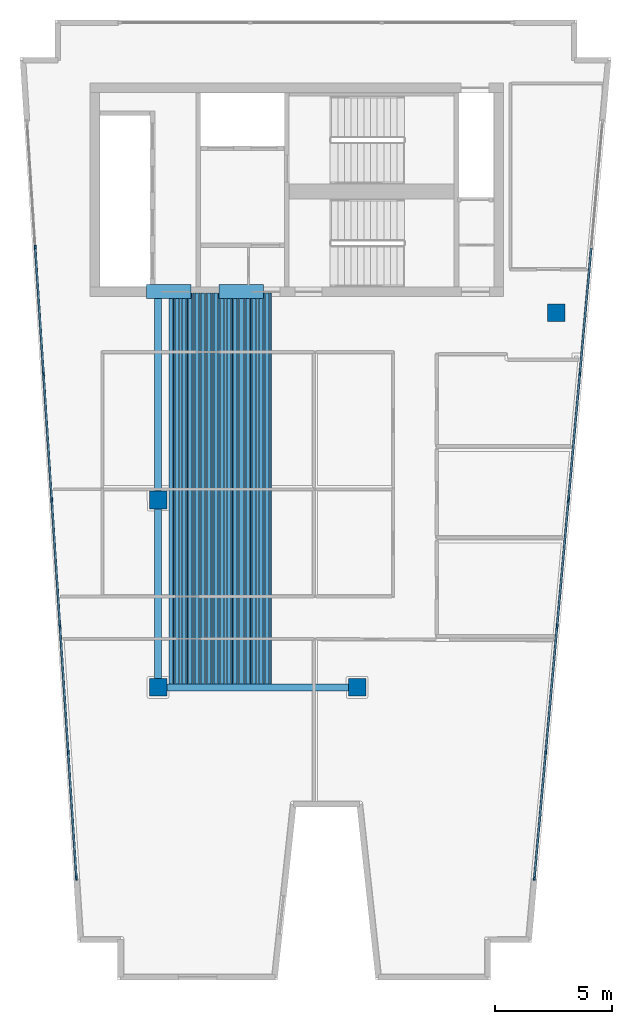
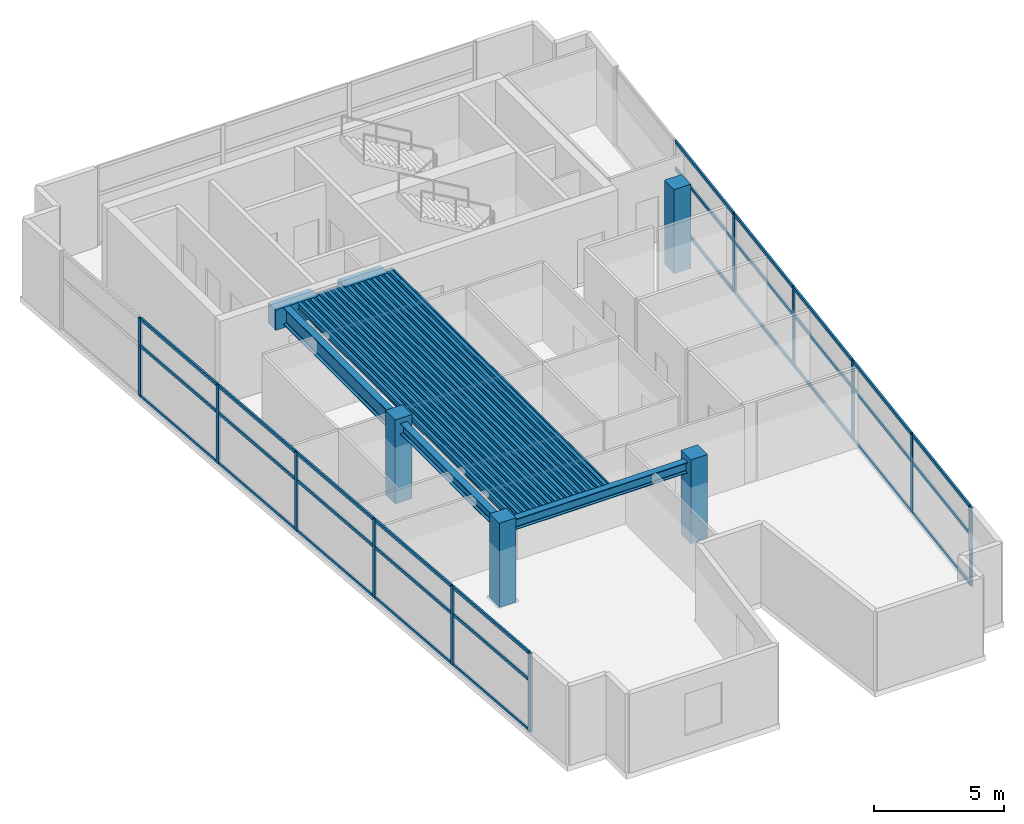
# One storey, part 1 of 7: 41 members, 37 beams, 4 columns, 2 elements without a shape of their own.
"""IFC4 building model written with IfcOpenShell, lengths in metres."""

from ifc_helpers import new_model, si_unit, direction, frame, origin, origin_2d, place, context, subcontext, project, spatial, rectangle, hollow_rectangle, i_section, extrude, material, layer, layer_set, material_profile, profile_set, type_object, element, aggregate, save


model = new_model("IFC4")

# Units and contexts
model_context = context("Model", 3, precision=1e-05, world=origin(), true_north=direction((0.0, 1.0)))
body_context = subcontext(model_context, "Body", "Model", "MODEL_VIEW")
ifc_project = project(units=[si_unit("LENGTHUNIT", "METRE"), si_unit("AREAUNIT", "SQUARE_METRE"), si_unit("VOLUMEUNIT", "CUBIC_METRE"), si_unit("PLANEANGLEUNIT", "RADIAN"), si_unit("MASSUNIT", "GRAM", prefix="KILO")], contexts=[model_context])

# Site, building, storey
site_placement = place(None, origin())
site = spatial("IfcSite", under=ifc_project, at=site_placement, CompositionType="ELEMENT")
building_placement = place(site_placement, origin())
building = spatial("IfcBuilding", under=site, at=building_placement, Name="Caeloran Harvest Quay", CompositionType="ELEMENT")
storey_placement = place(building_placement, frame((0.0, 0.0, 315.949951171875)))
storey = spatial("IfcBuildingStorey", under=building, at=storey_placement, Name="L76", CompositionType="ELEMENT", Elevation=315.949951171875)

# Columns
ifc_material_1 = material(Name="Concrete C60/75", Category="concrete")
ifc_material_profile_1 = material_profile(ifc_material_1, rectangle(XDim=0.75, YDim=0.75, at=origin_2d()), Name="RC 750x750")
ifc_profile_set_1 = profile_set([ifc_material_profile_1], Name="Concrete C60/75")
column_type = type_object("IfcColumnType", Name="COL-MC-5-RC_750x750", PredefinedType="COLUMN", material=ifc_profile_set_1)
for number, where, z_axis, x_axis, name in (
    (1, (8.5, 15.0, 0.0), (0.0, 0.0, 1.0), (1.0, 0.0, 0.0), "L76 Structural Column (8.5, 15.0)"),
    (2, (8.5, 23.0, 0.0), (0.0, 0.0, 1.0), (1.0, 0.0, 0.0), "L76 Structural Column (8.5, 23.0)"),
    (3, (17.0, 15.0, 0.0), (0.0, 0.0, 1.0), (1.0, 0.0, 0.0), "L76 Structural Column (17.0, 15.0)"),
    (4, (25.5, 31.0, 0.0), (0.0, 0.0, 1.0), (1.0, 0.0, 0.0), "L76 Structural Column (25.5, 31.0)"),
):
    element("IfcColumn", number, at=place(storey_placement, frame(where, z_axis=z_axis, x_axis=x_axis)), inside=storey, type_object=column_type, Name=name, PredefinedType="COLUMN", context=body_context, shape_type="SweptSolid", body=[
        extrude(rectangle(XDim=0.75, YDim=0.75, at=origin_2d()), origin(), (0.0, 0.0, 1.0), 3.949951171875),
    ])

# Beams
ifc_material_profile_2 = material_profile(ifc_material_1, rectangle(XDim=0.60009765625, YDim=0.949951171875, at=origin_2d()), Name="RC 600x950")
ifc_profile_set_2 = profile_set([ifc_material_profile_2], Name="Concrete C60/75")
beam_type_1 = type_object("IfcBeamType", Name="BM-CB-2-RC_600x950", PredefinedType="LINTEL", material=ifc_profile_set_2)
for number, where, z_axis, x_axis, name in (
    (5, (8.0, 31.89990234375, 3.22509765625), (1.0, 0.0, 0.0), (0.0, 1.0, 0.0), "L76 Core Coupling Beam 1"),
    (6, (11.10009765625, 31.89990234375, 3.22509765625), (1.0, 0.0, 0.0), (0.0, 1.0, 0.0), "L76 Core Coupling Beam 2"),
):
    element("IfcBeam", number, at=place(storey_placement, frame(where, z_axis=z_axis, x_axis=x_axis)), inside=storey, type_object=beam_type_1, Name=name, PredefinedType="LINTEL", context=body_context, shape_type="SweptSolid", body=[
        extrude(rectangle(XDim=0.60009765625, YDim=0.949951171875, at=origin_2d()), origin(), (0.0, 0.0, 1.0), 1.89990234375),
    ])
ifc_material_2 = material(Name="Steel S355J2", Category="steel")
ifc_material_profile_3 = material_profile(ifc_material_2, i_section(OverallWidth=0.300048828125, OverallDepth=0.800048828125, WebThickness=0.017578125, FlangeThickness=0.032958984375, FilletRadius=0.030029296875, at=origin_2d()), Name="HE 800 B")
ifc_profile_set_3 = profile_set([ifc_material_profile_3], Name="Steel S355J2")
beam_type_2 = type_object("IfcBeamType", Name="BM-PG-1-HE_800_B", PredefinedType="BEAM", material=ifc_profile_set_3)
beam_1_placement = place(storey_placement, frame((8.5, 23.0, 3.300048828125), z_axis=(0.0, 1.0, 0.0), x_axis=(-1.0, 0.0, 0.0)))
element("IfcBeam", 7, at=beam_1_placement, inside=storey, type_object=beam_type_2, Name="L76 Core South Tie Girder X=8.5", PredefinedType="BEAM", context=body_context, shape_type="SweptSolid", body=[
    extrude(i_section(OverallWidth=0.300048828125, OverallDepth=0.800048828125, WebThickness=0.017578125, FlangeThickness=0.032958984375, FilletRadius=0.030029296875, at=origin_2d()), origin(), (0.0, 0.0, 1.0), 8.85009765625),
])
ifc_material_profile_4 = material_profile(ifc_material_2, i_section(OverallWidth=0.300048828125, OverallDepth=0.5, WebThickness=0.014404296875, FlangeThickness=0.028076171875, FilletRadius=0.027099609375, at=origin_2d()), Name="HE 500 B")
ifc_profile_set_4 = profile_set([ifc_material_profile_4], Name="Steel S355J2")
beam_type_3 = type_object("IfcBeamType", Name="BM-PG-4-HE_500_B", PredefinedType="BEAM", material=ifc_profile_set_4)
beam_2_placement = place(storey_placement, frame((8.5, 15.0, 3.449951171875), z_axis=(1.0, 0.0, 0.0), x_axis=(0.0, 1.0, 0.0)))
element("IfcBeam", 8, at=beam_2_placement, inside=storey, type_object=beam_type_3, Name="L76 Primary East-West Girder Y=15.0", PredefinedType="BEAM", context=body_context, shape_type="SweptSolid", body=[
    extrude(i_section(OverallWidth=0.300048828125, OverallDepth=0.5, WebThickness=0.014404296875, FlangeThickness=0.028076171875, FilletRadius=0.027099609375, at=origin_2d()), origin(), (0.0, 0.0, 1.0), 8.5),
])
beam_3_placement = place(storey_placement, frame((8.5, 15.0, 3.449951171875), z_axis=(0.0, 1.0, 0.0), x_axis=(-1.0, 0.0, 0.0)))
element("IfcBeam", 9, at=beam_3_placement, inside=storey, type_object=beam_type_3, Name="L76 Primary North-South Girder X=8.5", PredefinedType="BEAM", context=body_context, shape_type="SweptSolid", body=[
    extrude(i_section(OverallWidth=0.300048828125, OverallDepth=0.5, WebThickness=0.014404296875, FlangeThickness=0.028076171875, FilletRadius=0.027099609375, at=origin_2d()), origin(), (0.0, 0.0, 1.0), 8.0),
])
ifc_material_profile_5 = material_profile(ifc_material_2, i_section(OverallWidth=0.14990234375, OverallDepth=0.300048828125, WebThickness=0.007080078125, FlangeThickness=0.0107421875, FilletRadius=0.014892578125, at=origin_2d()), Name="IPE 300")
ifc_profile_set_5 = profile_set([ifc_material_profile_5], Name="Steel S355J2")
beam_type_4 = type_object("IfcBeamType", Name="BM-SB-6-IPE_300", PredefinedType="JOIST", material=ifc_profile_set_5)
for number, where, z_axis, x_axis, name in (
    (10, (9.04833984375, 15.14501953125, 3.550048828125), (0.0, 1.0, 0.0), (-1.0, 0.0, 0.0), "L76 Secondary Composite Joist"),
    (11, (9.322509765625, 15.14501953125, 3.550048828125), (0.0, 1.0, 0.0), (-1.0, 0.0, 0.0), "L76 Secondary Composite Joist"),
    (12, (9.5966796875, 15.14501953125, 3.550048828125), (0.0, 1.0, 0.0), (-1.0, 0.0, 0.0), "L76 Secondary Composite Joist"),
    (13, (9.87109375, 15.14501953125, 3.550048828125), (0.0, 1.0, 0.0), (-1.0, 0.0, 0.0), "L76 Secondary Composite Joist"),
    (14, (10.145263671875, 15.14501953125, 3.550048828125), (0.0, 1.0, 0.0), (-1.0, 0.0, 0.0), "L76 Secondary Composite Joist"),
    (15, (10.41943359375, 15.14501953125, 3.550048828125), (0.0, 1.0, 0.0), (-1.0, 0.0, 0.0), "L76 Secondary Composite Joist"),
    (16, (10.693603515625, 15.14501953125, 3.550048828125), (0.0, 1.0, 0.0), (-1.0, 0.0, 0.0), "L76 Secondary Composite Joist"),
    (17, (10.9677734375, 15.14501953125, 3.550048828125), (0.0, 1.0, 0.0), (-1.0, 0.0, 0.0), "L76 Secondary Composite Joist"),
    (18, (11.241943359375, 15.14501953125, 3.550048828125), (0.0, 1.0, 0.0), (-1.0, 0.0, 0.0), "L76 Secondary Composite Joist"),
    (19, (11.51611328125, 15.14501953125, 3.550048828125), (0.0, 1.0, 0.0), (-1.0, 0.0, 0.0), "L76 Secondary Composite Joist"),
    (20, (11.790283203125, 15.14501953125, 3.550048828125), (0.0, 1.0, 0.0), (-1.0, 0.0, 0.0), "L76 Secondary Composite Joist"),
    (21, (12.064453125, 15.14501953125, 3.550048828125), (0.0, 1.0, 0.0), (-1.0, 0.0, 0.0), "L76 Secondary Composite Joist"),
    (22, (12.338623046875, 15.14501953125, 3.550048828125), (0.0, 1.0, 0.0), (-1.0, 0.0, 0.0), "L76 Secondary Composite Joist"),
    (23, (12.61279296875, 15.14501953125, 3.550048828125), (0.0, 1.0, 0.0), (-1.0, 0.0, 0.0), "L76 Secondary Composite Joist"),
    (24, (12.88720703125, 15.14501953125, 3.550048828125), (0.0, 1.0, 0.0), (-1.0, 0.0, 0.0), "L76 Secondary Composite Joist"),
    (25, (13.161376953125, 15.14501953125, 3.550048828125), (0.0, 1.0, 0.0), (-1.0, 0.0, 0.0), "L76 Secondary Composite Joist"),
):
    element("IfcBeam", number, at=place(storey_placement, frame(where, z_axis=z_axis, x_axis=x_axis)), inside=storey, type_object=beam_type_4, Name=name, PredefinedType="JOIST", context=body_context, shape_type="SweptSolid", body=[
        extrude(i_section(OverallWidth=0.14990234375, OverallDepth=0.300048828125, WebThickness=0.007080078125, FlangeThickness=0.0107421875, FilletRadius=0.014892578125, at=origin_2d()), origin(), (0.0, 0.0, 1.0), 16.705078125),
    ])
ifc_material_profile_6 = material_profile(ifc_material_2, hollow_rectangle(XDim=0.080078125, YDim=0.199951171875, WallThickness=0.006103515625, InnerFilletRadius=0.006103515625, OuterFilletRadius=0.009033203125, at=origin_2d()), Name="RHS 200x80x6")
ifc_profile_set_6 = profile_set([ifc_material_profile_6], Name="Steel S355J2")
beam_type_5 = type_object("IfcBeamType", Name="BM-SB-7-RHS_200x80x6", PredefinedType="JOIST", material=ifc_profile_set_6)
for number, where, z_axis, x_axis, name in (
    (26, (9.185546875, 15.14501953125, 3.60009765625), (0.0, 1.0, 0.0), (-1.0, 0.0, 0.0), "L76 Secondary Composite Joist"),
    (27, (9.459716796875, 15.14501953125, 3.60009765625), (0.0, 1.0, 0.0), (-1.0, 0.0, 0.0), "L76 Secondary Composite Joist"),
    (28, (9.73388671875, 15.14501953125, 3.60009765625), (0.0, 1.0, 0.0), (-1.0, 0.0, 0.0), "L76 Secondary Composite Joist"),
    (29, (10.008056640625, 15.14501953125, 3.60009765625), (0.0, 1.0, 0.0), (-1.0, 0.0, 0.0), "L76 Secondary Composite Joist"),
    (30, (10.2822265625, 15.14501953125, 3.60009765625), (0.0, 1.0, 0.0), (-1.0, 0.0, 0.0), "L76 Secondary Composite Joist"),
    (31, (10.556396484375, 15.14501953125, 3.60009765625), (0.0, 1.0, 0.0), (-1.0, 0.0, 0.0), "L76 Secondary Composite Joist"),
    (32, (10.83056640625, 15.14501953125, 3.60009765625), (0.0, 1.0, 0.0), (-1.0, 0.0, 0.0), "L76 Secondary Composite Joist"),
    (33, (11.104736328125, 15.14501953125, 3.60009765625), (0.0, 1.0, 0.0), (-1.0, 0.0, 0.0), "L76 Secondary Composite Joist"),
    (34, (11.37890625, 15.14501953125, 3.60009765625), (0.0, 1.0, 0.0), (-1.0, 0.0, 0.0), "L76 Secondary Composite Joist"),
    (35, (11.6533203125, 15.14501953125, 3.60009765625), (0.0, 1.0, 0.0), (-1.0, 0.0, 0.0), "L76 Secondary Composite Joist"),
    (36, (11.927490234375, 15.14501953125, 3.60009765625), (0.0, 1.0, 0.0), (-1.0, 0.0, 0.0), "L76 Secondary Composite Joist"),
    (37, (12.20166015625, 15.14501953125, 3.60009765625), (0.0, 1.0, 0.0), (-1.0, 0.0, 0.0), "L76 Secondary Composite Joist"),
    (38, (12.475830078125, 15.14501953125, 3.60009765625), (0.0, 1.0, 0.0), (-1.0, 0.0, 0.0), "L76 Secondary Composite Joist"),
    (39, (12.75, 15.14501953125, 3.60009765625), (0.0, 1.0, 0.0), (-1.0, 0.0, 0.0), "L76 Secondary Composite Joist"),
    (40, (13.024169921875, 15.14501953125, 3.60009765625), (0.0, 1.0, 0.0), (-1.0, 0.0, 0.0), "L76 Secondary Composite Joist"),
    (41, (13.29833984375, 15.14501953125, 3.60009765625), (0.0, 1.0, 0.0), (-1.0, 0.0, 0.0), "L76 Secondary Composite Joist"),
):
    element("IfcBeam", number, at=place(storey_placement, frame(where, z_axis=z_axis, x_axis=x_axis)), inside=storey, type_object=beam_type_5, Name=name, PredefinedType="JOIST", context=body_context, shape_type="SweptSolid", body=[
        extrude(hollow_rectangle(XDim=0.080078125, YDim=0.199951171875, WallThickness=0.006103515625, InnerFilletRadius=0.006103515625, OuterFilletRadius=0.009033203125, at=origin_2d()), origin(), (0.0, 0.0, 1.0), 16.705078125),
    ])

# Curtain wall, members
ifc_material_3 = material(Name="Aluminium 6063-T6 and Low-E Glazing", Category="aluminium")
ifc_layer = layer(ifc_material_3, 0.239990234375, Name="Aluminium 6063-T6 and Low-E Glazing")
ifc_layer_set = layer_set([ifc_layer], Name="Aluminium 6063-T6 and Low-E Glazing")
curtain_wall_type = type_object("IfcCurtainWallType", Name="CW-SYS-CW-7", PredefinedType="USERDEFINED", material=ifc_layer_set)
curtain_wall_1_placement = place(storey_placement, origin())
curtain_wall_1 = element("IfcCurtainWall", 42, at=curtain_wall_1_placement, inside=storey, type_object=curtain_wall_type, Name="L76 Unitised Curtain Wall CW-7 Run 3", ObjectType="CURTAIN_WALL", PredefinedType="USERDEFINED")
ifc_material_4 = material(Name="Aluminium 6063-T6", Category="aluminium")
ifc_material_profile_7 = material_profile(ifc_material_4, rectangle(XDim=0.080078125, YDim=0.179931640625, at=origin_2d()), Name="CW-MULLION-180")
ifc_profile_set_7 = profile_set([ifc_material_profile_7], Name="Aluminium 6063-T6")
member_type_1 = type_object("IfcMemberType", Name="CW-MULLION-180", PredefinedType="MULLION", material=ifc_profile_set_7)
member_1_placement = place(storey_placement, frame((5.013427734375, 6.8544921875, 0.0), z_axis=(0.0, 0.0, 1.0), x_axis=(-0.997874401106, -0.065166552901, 0.0)))
member_1 = element("IfcMember", 43, at=member_1_placement, type_object=member_type_1, Name="CW-7 mullion 1", PredefinedType="MULLION", context=body_context, shape_type="SweptSolid", body=[
    extrude(rectangle(XDim=0.080078125, YDim=0.179931640625, at=origin_2d()), origin(), (0.0, 0.0, 1.0), 3.699951171875),
])
member_2_placement = place(storey_placement, frame((4.66357421875, 12.209716796875, 0.0), z_axis=(0.0, 0.0, 1.0), x_axis=(-0.997874401106, -0.065166552901, 0.0)))
member_2 = element("IfcMember", 44, at=member_2_placement, type_object=member_type_1, Name="CW-7 mullion 2", PredefinedType="MULLION", context=body_context, shape_type="SweptSolid", body=[
    extrude(rectangle(XDim=0.080078125, YDim=0.179931640625, at=origin_2d()), origin(), (0.0, 0.0, 1.0), 3.699951171875),
])
member_3_placement = place(storey_placement, frame((4.311279296875, 17.604736328125, 0.0), z_axis=(0.0, 0.0, 1.0), x_axis=(-0.997874401106, -0.065166552901, 0.0)))
member_3 = element("IfcMember", 45, at=member_3_placement, type_object=member_type_1, Name="CW-7 mullion 3", PredefinedType="MULLION", context=body_context, shape_type="SweptSolid", body=[
    extrude(rectangle(XDim=0.080078125, YDim=0.179931640625, at=origin_2d()), origin(), (0.0, 0.0, 1.0), 3.699951171875),
])
member_4_placement = place(storey_placement, frame((3.958984375, 23.0, 0.0), z_axis=(0.0, 0.0, 1.0), x_axis=(-0.997874401106, -0.065166552901, 0.0)))
member_4 = element("IfcMember", 46, at=member_4_placement, type_object=member_type_1, Name="CW-7 mullion 4", PredefinedType="MULLION", context=body_context, shape_type="SweptSolid", body=[
    extrude(rectangle(XDim=0.080078125, YDim=0.179931640625, at=origin_2d()), origin(), (0.0, 0.0, 1.0), 3.699951171875),
])
member_5_placement = place(storey_placement, frame((3.606689453125, 28.395263671875, 0.0), z_axis=(0.0, 0.0, 1.0), x_axis=(-0.997874401106, -0.065166552901, 0.0)))
member_5 = element("IfcMember", 47, at=member_5_placement, type_object=member_type_1, Name="CW-7 mullion 5", PredefinedType="MULLION", context=body_context, shape_type="SweptSolid", body=[
    extrude(rectangle(XDim=0.080078125, YDim=0.179931640625, at=origin_2d()), origin(), (0.0, 0.0, 1.0), 3.699951171875),
])
member_6_placement = place(storey_placement, frame((3.25439453125, 33.790283203125, 0.0), z_axis=(0.0, 0.0, 1.0), x_axis=(-0.997874401106, -0.065166552901, 0.0)))
member_6 = element("IfcMember", 48, at=member_6_placement, type_object=member_type_1, Name="CW-7 mullion 6", PredefinedType="MULLION", context=body_context, shape_type="SweptSolid", body=[
    extrude(rectangle(XDim=0.080078125, YDim=0.179931640625, at=origin_2d()), origin(), (0.0, 0.0, 1.0), 3.699951171875),
])

curtain_wall_2_placement = place(storey_placement, origin())
curtain_wall_2 = element("IfcCurtainWall", 49, at=curtain_wall_2_placement, inside=storey, type_object=curtain_wall_type, Name="L76 Unitised Curtain Wall CW-7 Run 9", ObjectType="CURTAIN_WALL", PredefinedType="USERDEFINED")
member_7_placement = place(storey_placement, frame((26.517578125, 28.396728515625, 0.0), z_axis=(0.0, 0.0, 1.0), x_axis=(0.995957918918, -0.089821065146, 0.0)))
member_7 = element("IfcMember", 50, at=member_7_placement, type_object=member_type_1, Name="CW-7 mullion 3", PredefinedType="MULLION", context=body_context, shape_type="SweptSolid", body=[
    extrude(rectangle(XDim=0.080078125, YDim=0.179931640625, at=origin_2d()), origin(), (0.0, 0.0, 1.0), 3.699951171875),
])
member_8_placement = place(storey_placement, frame((26.03076171875, 23.0, 0.0), z_axis=(0.0, 0.0, 1.0), x_axis=(0.995957918918, -0.089821065146, 0.0)))
member_8 = element("IfcMember", 51, at=member_8_placement, type_object=member_type_1, Name="CW-7 mullion 4", PredefinedType="MULLION", context=body_context, shape_type="SweptSolid", body=[
    extrude(rectangle(XDim=0.080078125, YDim=0.179931640625, at=origin_2d()), origin(), (0.0, 0.0, 1.0), 3.699951171875),
])
member_9_placement = place(storey_placement, frame((25.5439453125, 17.603271484375, 0.0), z_axis=(0.0, 0.0, 1.0), x_axis=(0.995957918918, -0.089821065146, 0.0)))
member_9 = element("IfcMember", 52, at=member_9_placement, type_object=member_type_1, Name="CW-7 mullion 5", PredefinedType="MULLION", context=body_context, shape_type="SweptSolid", body=[
    extrude(rectangle(XDim=0.080078125, YDim=0.179931640625, at=origin_2d()), origin(), (0.0, 0.0, 1.0), 3.699951171875),
])
member_10_placement = place(storey_placement, frame((25.057373046875, 12.206298828125, 0.0), z_axis=(0.0, 0.0, 1.0), x_axis=(0.995957918918, -0.089821065146, 0.0)))
member_10 = element("IfcMember", 53, at=member_10_placement, type_object=member_type_1, Name="CW-7 mullion 6", PredefinedType="MULLION", context=body_context, shape_type="SweptSolid", body=[
    extrude(rectangle(XDim=0.080078125, YDim=0.179931640625, at=origin_2d()), origin(), (0.0, 0.0, 1.0), 3.699951171875),
])
member_11_placement = place(storey_placement, frame((24.57421875, 6.849365234375, 0.0), z_axis=(0.0, 0.0, 1.0), x_axis=(0.995957918918, -0.089821065146, 0.0)))
member_11 = element("IfcMember", 54, at=member_11_placement, type_object=member_type_1, Name="CW-7 mullion 7", PredefinedType="MULLION", context=body_context, shape_type="SweptSolid", body=[
    extrude(rectangle(XDim=0.080078125, YDim=0.179931640625, at=origin_2d()), origin(), (0.0, 0.0, 1.0), 3.699951171875),
])

# Member
ifc_material_profile_8 = material_profile(ifc_material_4, rectangle(XDim=0.080078125, YDim=0.14990234375, at=origin_2d()), Name="CW-TRANSOM-150")
ifc_profile_set_8 = profile_set([ifc_material_profile_8], Name="Aluminium 6063-T6")
member_type_2 = type_object("IfcMemberType", Name="CW-TRANSOM-150", PredefinedType="USERDEFINED", material=ifc_profile_set_8)
member_12_placement = place(storey_placement, frame((5.0107421875, 6.894287109375, 0.0400390625), z_axis=(-0.065161110765, 0.997874756492, 0.0), x_axis=(-0.997874756492, -0.065161110765, 0.0)))
member_12 = element("IfcMember", 55, at=member_12_placement, type_object=member_type_2, Name="CW-7 transom 1.1", ObjectType="TRANSOM", PredefinedType="USERDEFINED", context=body_context, shape_type="SweptSolid", body=[
    extrude(rectangle(XDim=0.080078125, YDim=0.14990234375, at=origin_2d()), origin(), (0.0, 0.0, 1.0), 5.28662109375),
])

member_13_placement = place(storey_placement, frame((5.0107421875, 6.894287109375, 2.400146484375), z_axis=(-0.065161110765, 0.997874756492, 0.0), x_axis=(-0.997874756492, -0.065161110765, 0.0)))
member_13 = element("IfcMember", 56, at=member_13_placement, type_object=member_type_2, Name="CW-7 transom 1.2", ObjectType="TRANSOM", PredefinedType="USERDEFINED", context=body_context, shape_type="SweptSolid", body=[
    extrude(rectangle(XDim=0.080078125, YDim=0.14990234375, at=origin_2d()), origin(), (0.0, 0.0, 1.0), 5.28662109375),
])

member_14_placement = place(storey_placement, frame((5.0107421875, 6.894287109375, 3.66015625), z_axis=(-0.065161110765, 0.997874756492, 0.0), x_axis=(-0.997874756492, -0.065161110765, 0.0)))
member_14 = element("IfcMember", 57, at=member_14_placement, type_object=member_type_2, Name="CW-7 transom 1.3", ObjectType="TRANSOM", PredefinedType="USERDEFINED", context=body_context, shape_type="SweptSolid", body=[
    extrude(rectangle(XDim=0.080078125, YDim=0.14990234375, at=origin_2d()), origin(), (0.0, 0.0, 1.0), 5.28662109375),
])

member_15_placement = place(storey_placement, frame((4.6611328125, 12.24951171875, 0.0400390625), z_axis=(-0.065174383207, 0.997873889714, 0.0), x_axis=(-0.997873889714, -0.065174383207, 0.0)))
member_15 = element("IfcMember", 58, at=member_15_placement, type_object=member_type_2, Name="CW-7 transom 2.1", ObjectType="TRANSOM", PredefinedType="USERDEFINED", context=body_context, shape_type="SweptSolid", body=[
    extrude(rectangle(XDim=0.080078125, YDim=0.14990234375, at=origin_2d()), origin(), (0.0, 0.0, 1.0), 5.32666015625),
])

member_16_placement = place(storey_placement, frame((4.6611328125, 12.24951171875, 2.400146484375), z_axis=(-0.065174383207, 0.997873889714, 0.0), x_axis=(-0.997873889714, -0.065174383207, 0.0)))
member_16 = element("IfcMember", 59, at=member_16_placement, type_object=member_type_2, Name="CW-7 transom 2.2", ObjectType="TRANSOM", PredefinedType="USERDEFINED", context=body_context, shape_type="SweptSolid", body=[
    extrude(rectangle(XDim=0.080078125, YDim=0.14990234375, at=origin_2d()), origin(), (0.0, 0.0, 1.0), 5.32666015625),
])

member_17_placement = place(storey_placement, frame((4.6611328125, 12.24951171875, 3.66015625), z_axis=(-0.065174383207, 0.997873889714, 0.0), x_axis=(-0.997873889714, -0.065174383207, 0.0)))
member_17 = element("IfcMember", 60, at=member_17_placement, type_object=member_type_2, Name="CW-7 transom 2.3", ObjectType="TRANSOM", PredefinedType="USERDEFINED", context=body_context, shape_type="SweptSolid", body=[
    extrude(rectangle(XDim=0.080078125, YDim=0.14990234375, at=origin_2d()), origin(), (0.0, 0.0, 1.0), 5.32666015625),
])

member_18_placement = place(storey_placement, frame((4.308837890625, 17.644775390625, 0.0400390625), z_axis=(-0.065174383207, 0.997873889714, 0.0), x_axis=(-0.997873889714, -0.065174383207, 0.0)))
member_18 = element("IfcMember", 61, at=member_18_placement, type_object=member_type_2, Name="CW-7 transom 3.1", ObjectType="TRANSOM", PredefinedType="USERDEFINED", context=body_context, shape_type="SweptSolid", body=[
    extrude(rectangle(XDim=0.080078125, YDim=0.14990234375, at=origin_2d()), origin(), (0.0, 0.0, 1.0), 5.32666015625),
])

member_19_placement = place(storey_placement, frame((4.308837890625, 17.644775390625, 2.400146484375), z_axis=(-0.065174383207, 0.997873889714, 0.0), x_axis=(-0.997873889714, -0.065174383207, 0.0)))
member_19 = element("IfcMember", 62, at=member_19_placement, type_object=member_type_2, Name="CW-7 transom 3.2", ObjectType="TRANSOM", PredefinedType="USERDEFINED", context=body_context, shape_type="SweptSolid", body=[
    extrude(rectangle(XDim=0.080078125, YDim=0.14990234375, at=origin_2d()), origin(), (0.0, 0.0, 1.0), 5.32666015625),
])

member_20_placement = place(storey_placement, frame((4.308837890625, 17.644775390625, 3.66015625), z_axis=(-0.065174383207, 0.997873889714, 0.0), x_axis=(-0.997873889714, -0.065174383207, 0.0)))
member_20 = element("IfcMember", 63, at=member_20_placement, type_object=member_type_2, Name="CW-7 transom 3.3", ObjectType="TRANSOM", PredefinedType="USERDEFINED", context=body_context, shape_type="SweptSolid", body=[
    extrude(rectangle(XDim=0.080078125, YDim=0.14990234375, at=origin_2d()), origin(), (0.0, 0.0, 1.0), 5.32666015625),
])

member_21_placement = place(storey_placement, frame((3.956298828125, 23.039794921875, 0.0400390625), z_axis=(-0.065128744787, 0.99787686946, 0.0), x_axis=(-0.99787686946, -0.065128744787, 0.0)))
member_21 = element("IfcMember", 64, at=member_21_placement, type_object=member_type_2, Name="CW-7 transom 4.1", ObjectType="TRANSOM", PredefinedType="USERDEFINED", context=body_context, shape_type="SweptSolid", body=[
    extrude(rectangle(XDim=0.080078125, YDim=0.14990234375, at=origin_2d()), origin(), (0.0, 0.0, 1.0), 5.32666015625),
])

member_22_placement = place(storey_placement, frame((3.956298828125, 23.039794921875, 2.400146484375), z_axis=(-0.065128744787, 0.99787686946, 0.0), x_axis=(-0.99787686946, -0.065128744787, 0.0)))
member_22 = element("IfcMember", 65, at=member_22_placement, type_object=member_type_2, Name="CW-7 transom 4.2", ObjectType="TRANSOM", PredefinedType="USERDEFINED", context=body_context, shape_type="SweptSolid", body=[
    extrude(rectangle(XDim=0.080078125, YDim=0.14990234375, at=origin_2d()), origin(), (0.0, 0.0, 1.0), 5.32666015625),
])

member_23_placement = place(storey_placement, frame((3.956298828125, 23.039794921875, 3.66015625), z_axis=(-0.065128744787, 0.99787686946, 0.0), x_axis=(-0.99787686946, -0.065128744787, 0.0)))
member_23 = element("IfcMember", 66, at=member_23_placement, type_object=member_type_2, Name="CW-7 transom 4.3", ObjectType="TRANSOM", PredefinedType="USERDEFINED", context=body_context, shape_type="SweptSolid", body=[
    extrude(rectangle(XDim=0.080078125, YDim=0.14990234375, at=origin_2d()), origin(), (0.0, 0.0, 1.0), 5.32666015625),
])

member_24_placement = place(storey_placement, frame((3.60400390625, 28.43505859375, 0.0400390625), z_axis=(-0.065174383207, 0.997873889714, 0.0), x_axis=(-0.997873889714, -0.065174383207, 0.0)))
member_24 = element("IfcMember", 67, at=member_24_placement, type_object=member_type_2, Name="CW-7 transom 5.1", ObjectType="TRANSOM", PredefinedType="USERDEFINED", context=body_context, shape_type="SweptSolid", body=[
    extrude(rectangle(XDim=0.080078125, YDim=0.14990234375, at=origin_2d()), origin(), (0.0, 0.0, 1.0), 5.32666015625),
])

member_25_placement = place(storey_placement, frame((3.60400390625, 28.43505859375, 2.400146484375), z_axis=(-0.065174383207, 0.997873889714, 0.0), x_axis=(-0.997873889714, -0.065174383207, 0.0)))
member_25 = element("IfcMember", 68, at=member_25_placement, type_object=member_type_2, Name="CW-7 transom 5.2", ObjectType="TRANSOM", PredefinedType="USERDEFINED", context=body_context, shape_type="SweptSolid", body=[
    extrude(rectangle(XDim=0.080078125, YDim=0.14990234375, at=origin_2d()), origin(), (0.0, 0.0, 1.0), 5.32666015625),
])

member_26_placement = place(storey_placement, frame((3.60400390625, 28.43505859375, 3.66015625), z_axis=(-0.065174383207, 0.997873889714, 0.0), x_axis=(-0.997873889714, -0.065174383207, 0.0)))
member_26 = element("IfcMember", 69, at=member_26_placement, type_object=member_type_2, Name="CW-7 transom 5.3", ObjectType="TRANSOM", PredefinedType="USERDEFINED", context=body_context, shape_type="SweptSolid", body=[
    extrude(rectangle(XDim=0.080078125, YDim=0.14990234375, at=origin_2d()), origin(), (0.0, 0.0, 1.0), 5.32666015625),
])

aggregate(curtain_wall_1, [member_1, member_2, member_3, member_4, member_5, member_6, member_12, member_13, member_14, member_15, member_16, member_17, member_18, member_19, member_20, member_21, member_22, member_23, member_24, member_25, member_26])

member_27_placement = place(storey_placement, frame((27.00048828125, 33.75390625, 0.0400390625), z_axis=(-0.089814159323, -0.9959585417, 0.0), x_axis=(0.9959585417, -0.089814159323, 0.0)))
member_27 = element("IfcMember", 70, at=member_27_placement, type_object=member_type_2, Name="CW-7 transom 2.1", ObjectType="TRANSOM", PredefinedType="USERDEFINED", context=body_context, shape_type="SweptSolid", body=[
    extrude(rectangle(XDim=0.080078125, YDim=0.14990234375, at=origin_2d()), origin(), (0.0, 0.0, 1.0), 5.338623046875),
])

member_28_placement = place(storey_placement, frame((27.00048828125, 33.75390625, 2.400146484375), z_axis=(-0.089814159323, -0.9959585417, 0.0), x_axis=(0.9959585417, -0.089814159323, 0.0)))
member_28 = element("IfcMember", 71, at=member_28_placement, type_object=member_type_2, Name="CW-7 transom 2.2", ObjectType="TRANSOM", PredefinedType="USERDEFINED", context=body_context, shape_type="SweptSolid", body=[
    extrude(rectangle(XDim=0.080078125, YDim=0.14990234375, at=origin_2d()), origin(), (0.0, 0.0, 1.0), 5.338623046875),
])

member_29_placement = place(storey_placement, frame((27.00048828125, 33.75390625, 3.66015625), z_axis=(-0.089814159323, -0.9959585417, 0.0), x_axis=(0.9959585417, -0.089814159323, 0.0)))
member_29 = element("IfcMember", 72, at=member_29_placement, type_object=member_type_2, Name="CW-7 transom 2.3", ObjectType="TRANSOM", PredefinedType="USERDEFINED", context=body_context, shape_type="SweptSolid", body=[
    extrude(rectangle(XDim=0.080078125, YDim=0.14990234375, at=origin_2d()), origin(), (0.0, 0.0, 1.0), 5.338623046875),
])

member_30_placement = place(storey_placement, frame((26.513916015625, 28.35693359375, 0.0400390625), z_axis=(-0.089814159323, -0.9959585417, 0.0), x_axis=(0.9959585417, -0.089814159323, 0.0)))
member_30 = element("IfcMember", 73, at=member_30_placement, type_object=member_type_2, Name="CW-7 transom 3.1", ObjectType="TRANSOM", PredefinedType="USERDEFINED", context=body_context, shape_type="SweptSolid", body=[
    extrude(rectangle(XDim=0.080078125, YDim=0.14990234375, at=origin_2d()), origin(), (0.0, 0.0, 1.0), 5.338623046875),
])

member_31_placement = place(storey_placement, frame((26.513916015625, 28.35693359375, 2.400146484375), z_axis=(-0.089814159323, -0.9959585417, 0.0), x_axis=(0.9959585417, -0.089814159323, 0.0)))
member_31 = element("IfcMember", 74, at=member_31_placement, type_object=member_type_2, Name="CW-7 transom 3.2", ObjectType="TRANSOM", PredefinedType="USERDEFINED", context=body_context, shape_type="SweptSolid", body=[
    extrude(rectangle(XDim=0.080078125, YDim=0.14990234375, at=origin_2d()), origin(), (0.0, 0.0, 1.0), 5.338623046875),
])

member_32_placement = place(storey_placement, frame((26.513916015625, 28.35693359375, 3.66015625), z_axis=(-0.089814159323, -0.9959585417, 0.0), x_axis=(0.9959585417, -0.089814159323, 0.0)))
member_32 = element("IfcMember", 75, at=member_32_placement, type_object=member_type_2, Name="CW-7 transom 3.3", ObjectType="TRANSOM", PredefinedType="USERDEFINED", context=body_context, shape_type="SweptSolid", body=[
    extrude(rectangle(XDim=0.080078125, YDim=0.14990234375, at=origin_2d()), origin(), (0.0, 0.0, 1.0), 5.338623046875),
])

member_33_placement = place(storey_placement, frame((26.027099609375, 22.960205078125, 0.0400390625), z_axis=(-0.089814159323, -0.9959585417, 0.0), x_axis=(0.9959585417, -0.089814159323, 0.0)))
member_33 = element("IfcMember", 76, at=member_33_placement, type_object=member_type_2, Name="CW-7 transom 4.1", ObjectType="TRANSOM", PredefinedType="USERDEFINED", context=body_context, shape_type="SweptSolid", body=[
    extrude(rectangle(XDim=0.080078125, YDim=0.14990234375, at=origin_2d()), origin(), (0.0, 0.0, 1.0), 5.338623046875),
])

member_34_placement = place(storey_placement, frame((26.027099609375, 22.960205078125, 2.400146484375), z_axis=(-0.089814159323, -0.9959585417, 0.0), x_axis=(0.9959585417, -0.089814159323, 0.0)))
member_34 = element("IfcMember", 77, at=member_34_placement, type_object=member_type_2, Name="CW-7 transom 4.2", ObjectType="TRANSOM", PredefinedType="USERDEFINED", context=body_context, shape_type="SweptSolid", body=[
    extrude(rectangle(XDim=0.080078125, YDim=0.14990234375, at=origin_2d()), origin(), (0.0, 0.0, 1.0), 5.338623046875),
])

member_35_placement = place(storey_placement, frame((26.027099609375, 22.960205078125, 3.66015625), z_axis=(-0.089814159323, -0.9959585417, 0.0), x_axis=(0.9959585417, -0.089814159323, 0.0)))
member_35 = element("IfcMember", 78, at=member_35_placement, type_object=member_type_2, Name="CW-7 transom 4.3", ObjectType="TRANSOM", PredefinedType="USERDEFINED", context=body_context, shape_type="SweptSolid", body=[
    extrude(rectangle(XDim=0.080078125, YDim=0.14990234375, at=origin_2d()), origin(), (0.0, 0.0, 1.0), 5.338623046875),
])

member_36_placement = place(storey_placement, frame((25.54052734375, 17.563232421875, 0.0400390625), z_axis=(-0.089859520381, -0.995954450061, 0.0), x_axis=(0.995954450061, -0.089859520381, 0.0)))
member_36 = element("IfcMember", 79, at=member_36_placement, type_object=member_type_2, Name="CW-7 transom 5.1", ObjectType="TRANSOM", PredefinedType="USERDEFINED", context=body_context, shape_type="SweptSolid", body=[
    extrude(rectangle(XDim=0.080078125, YDim=0.14990234375, at=origin_2d()), origin(), (0.0, 0.0, 1.0), 5.338623046875),
])

member_37_placement = place(storey_placement, frame((25.54052734375, 17.563232421875, 2.400146484375), z_axis=(-0.089859520381, -0.995954450061, 0.0), x_axis=(0.995954450061, -0.089859520381, 0.0)))
member_37 = element("IfcMember", 80, at=member_37_placement, type_object=member_type_2, Name="CW-7 transom 5.2", ObjectType="TRANSOM", PredefinedType="USERDEFINED", context=body_context, shape_type="SweptSolid", body=[
    extrude(rectangle(XDim=0.080078125, YDim=0.14990234375, at=origin_2d()), origin(), (0.0, 0.0, 1.0), 5.338623046875),
])

member_38_placement = place(storey_placement, frame((25.54052734375, 17.563232421875, 3.66015625), z_axis=(-0.089859520381, -0.995954450061, 0.0), x_axis=(0.995954450061, -0.089859520381, 0.0)))
member_38 = element("IfcMember", 81, at=member_38_placement, type_object=member_type_2, Name="CW-7 transom 5.3", ObjectType="TRANSOM", PredefinedType="USERDEFINED", context=body_context, shape_type="SweptSolid", body=[
    extrude(rectangle(XDim=0.080078125, YDim=0.14990234375, at=origin_2d()), origin(), (0.0, 0.0, 1.0), 5.338623046875),
])

member_39_placement = place(storey_placement, frame((25.0537109375, 12.16650390625, 0.0400390625), z_axis=(-0.089800407778, -0.995959781699, 0.0), x_axis=(0.995959781699, -0.089800407778, 0.0)))
member_39 = element("IfcMember", 82, at=member_39_placement, type_object=member_type_2, Name="CW-7 transom 6.1", ObjectType="TRANSOM", PredefinedType="USERDEFINED", context=body_context, shape_type="SweptSolid", body=[
    extrude(rectangle(XDim=0.080078125, YDim=0.14990234375, at=origin_2d()), origin(), (0.0, 0.0, 1.0), 5.298828125),
])

member_40_placement = place(storey_placement, frame((25.0537109375, 12.16650390625, 2.400146484375), z_axis=(-0.089800407778, -0.995959781699, 0.0), x_axis=(0.995959781699, -0.089800407778, 0.0)))
member_40 = element("IfcMember", 83, at=member_40_placement, type_object=member_type_2, Name="CW-7 transom 6.2", ObjectType="TRANSOM", PredefinedType="USERDEFINED", context=body_context, shape_type="SweptSolid", body=[
    extrude(rectangle(XDim=0.080078125, YDim=0.14990234375, at=origin_2d()), origin(), (0.0, 0.0, 1.0), 5.298828125),
])

member_41_placement = place(storey_placement, frame((25.0537109375, 12.16650390625, 3.66015625), z_axis=(-0.089800407778, -0.995959781699, 0.0), x_axis=(0.995959781699, -0.089800407778, 0.0)))
member_41 = element("IfcMember", 84, at=member_41_placement, type_object=member_type_2, Name="CW-7 transom 6.3", ObjectType="TRANSOM", PredefinedType="USERDEFINED", context=body_context, shape_type="SweptSolid", body=[
    extrude(rectangle(XDim=0.080078125, YDim=0.14990234375, at=origin_2d()), origin(), (0.0, 0.0, 1.0), 5.298828125),
])

aggregate(curtain_wall_2, [member_7, member_8, member_9, member_10, member_11, member_27, member_28, member_29, member_30, member_31, member_32, member_33, member_34, member_35, member_36, member_37, member_38, member_39, member_40, member_41])

save(model, "model.ifc")
